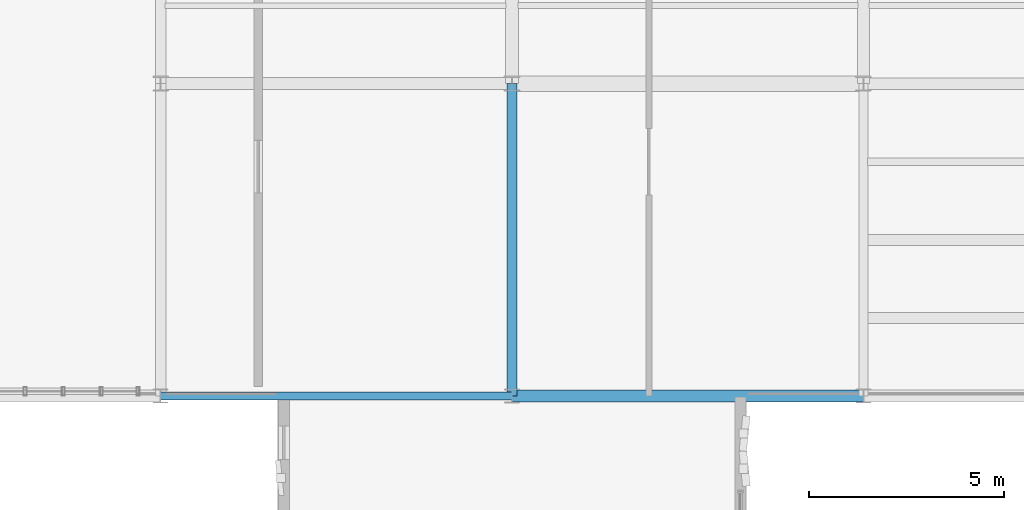
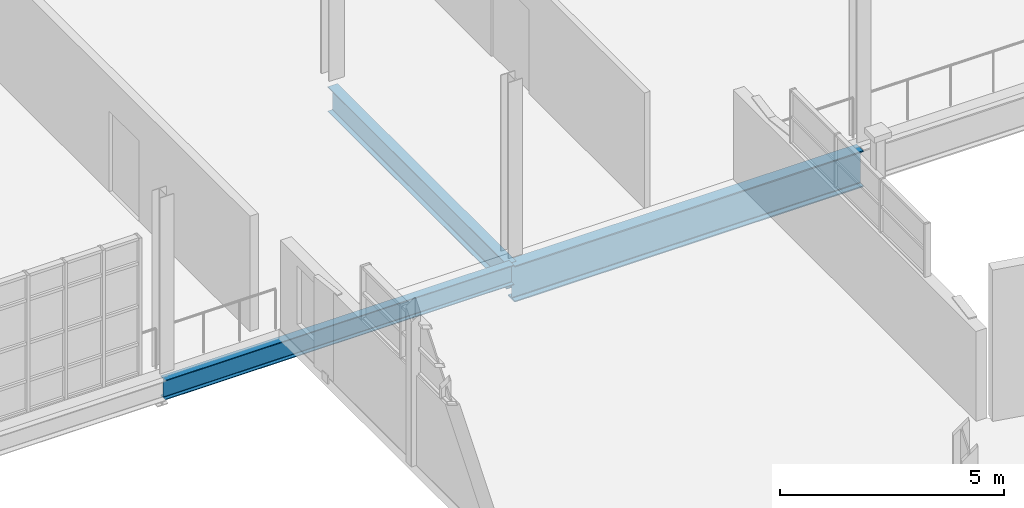
# One storey, part 47 of 118: 3 beams.
"""IFC4 building model written with IfcOpenShell, lengths in metres."""

from ifc_helpers import new_model, si_unit, direction, frame, origin, origin_2d, place, context, subcontext, project, spatial, i_section, extrude, material, material_profile, profile_set, type_object, element, save


model = new_model("IFC4")

# Units and contexts
model_context = context("Model", 3, precision=1e-05, world=origin(), true_north=direction((0.0, 1.0)))
body_context = subcontext(model_context, "Body", "Model", "MODEL_VIEW")
ifc_project = project(units=[si_unit("LENGTHUNIT", "METRE"), si_unit("AREAUNIT", "SQUARE_METRE"), si_unit("VOLUMEUNIT", "CUBIC_METRE"), si_unit("PLANEANGLEUNIT", "RADIAN"), si_unit("MASSUNIT", "GRAM", prefix="KILO"), si_unit("THERMODYNAMICTEMPERATUREUNIT", "KELVIN"), si_unit("POWERUNIT", "WATT")], contexts=[model_context])

# Site, building, storey
site_placement = place(None, origin())
site = spatial("IfcSite", under=ifc_project, at=site_placement, CompositionType="ELEMENT")
building_placement = place(site_placement, origin())
building = spatial("IfcBuilding", under=site, at=building_placement, Name="Zelmaris Science Centre", CompositionType="ELEMENT")
storey_placement = place(building_placement, frame((0.0, 0.0, 15.60009765625)))
storey = spatial("IfcBuildingStorey", under=building, at=storey_placement, Name="L03", CompositionType="ELEMENT", Elevation=15.60009765625)

# Beams
ifc_material = material(Name="Steel ASTM A992 Grade 50", Category="steel")
ifc_material_profile_1 = material_profile(ifc_material, i_section(OverallWidth=0.25390625, OverallDepth=0.68310546875, WebThickness=0.012451171875, FlangeThickness=0.018798828125, FilletRadius=0.01806640625, at=origin_2d()), Name="W27X94")
ifc_profile_set_1 = profile_set([ifc_material_profile_1], Name="Steel ASTM A992 Grade 50")
beam_type_1 = type_object("IfcBeamType", Name="Beam G-13 W27X94", PredefinedType="BEAM", material=ifc_profile_set_1)
beam_1_placement = place(storey_placement, frame((81.0, 64.0, -0.62158203125), z_axis=(0.0, 1.0, 0.0), x_axis=(-1.0, 0.0, 0.0)))
element("IfcBeam", 1, at=beam_1_placement, inside=storey, type_object=beam_type_1, Name="L03 North-south girder 689", PredefinedType="BEAM", context=body_context, shape_type="SweptSolid", body=[
    extrude(i_section(OverallWidth=0.25390625, OverallDepth=0.68310546875, WebThickness=0.012451171875, FlangeThickness=0.018798828125, FilletRadius=0.01806640625, at=origin_2d()), origin(), (0.0, 0.0, 1.0), 8.0),
])
ifc_material_profile_2 = material_profile(ifc_material, i_section(OverallWidth=0.2109375, OverallDepth=0.5380859375, WebThickness=0.01171875, FlangeThickness=0.018798828125, FilletRadius=0.013916015625, at=origin_2d()), Name="W21X73")
ifc_profile_set_2 = profile_set([ifc_material_profile_2], Name="Steel ASTM A992 Grade 50")
beam_type_2 = type_object("IfcBeamType", Name="Beam G-19 W21X73", PredefinedType="BEAM", material=ifc_profile_set_2)
beam_2_placement = place(storey_placement, frame((72.0, 64.0, -0.549072265625), z_axis=(1.0, 0.0, 0.0), x_axis=(0.0, 1.0, 0.0)))
element("IfcBeam", 2, at=beam_2_placement, inside=storey, type_object=beam_type_2, Name="L03 East-west girder 756", PredefinedType="BEAM", context=body_context, shape_type="SweptSolid", body=[
    extrude(i_section(OverallWidth=0.2109375, OverallDepth=0.5380859375, WebThickness=0.01171875, FlangeThickness=0.018798828125, FilletRadius=0.013916015625, at=origin_2d()), origin(), (0.0, 0.0, 1.0), 9.0),
])
ifc_material_profile_3 = material_profile(ifc_material, i_section(OverallWidth=0.300048828125, OverallDepth=0.990966796875, WebThickness=0.0166015625, FlangeThickness=0.030517578125, FilletRadius=0.02490234375, at=origin_2d()), Name="W40X183")
ifc_profile_set_3 = profile_set([ifc_material_profile_3], Name="Steel ASTM A992 Grade 50")
beam_type_3 = type_object("IfcBeamType", Name="Beam G-24 W40X183", PredefinedType="BEAM", material=ifc_profile_set_3)
beam_3_placement = place(storey_placement, frame((81.0, 64.0, -0.775634765625), z_axis=(1.0, 0.0, 0.0), x_axis=(0.0, 1.0, 0.0)))
element("IfcBeam", 3, at=beam_3_placement, inside=storey, type_object=beam_type_3, Name="L03 East-west girder 757", PredefinedType="BEAM", context=body_context, shape_type="SweptSolid", body=[
    extrude(i_section(OverallWidth=0.300048828125, OverallDepth=0.990966796875, WebThickness=0.0166015625, FlangeThickness=0.030517578125, FilletRadius=0.02490234375, at=origin_2d()), origin(), (0.0, 0.0, 1.0), 9.0),
])

save(model, "model.ifc")
